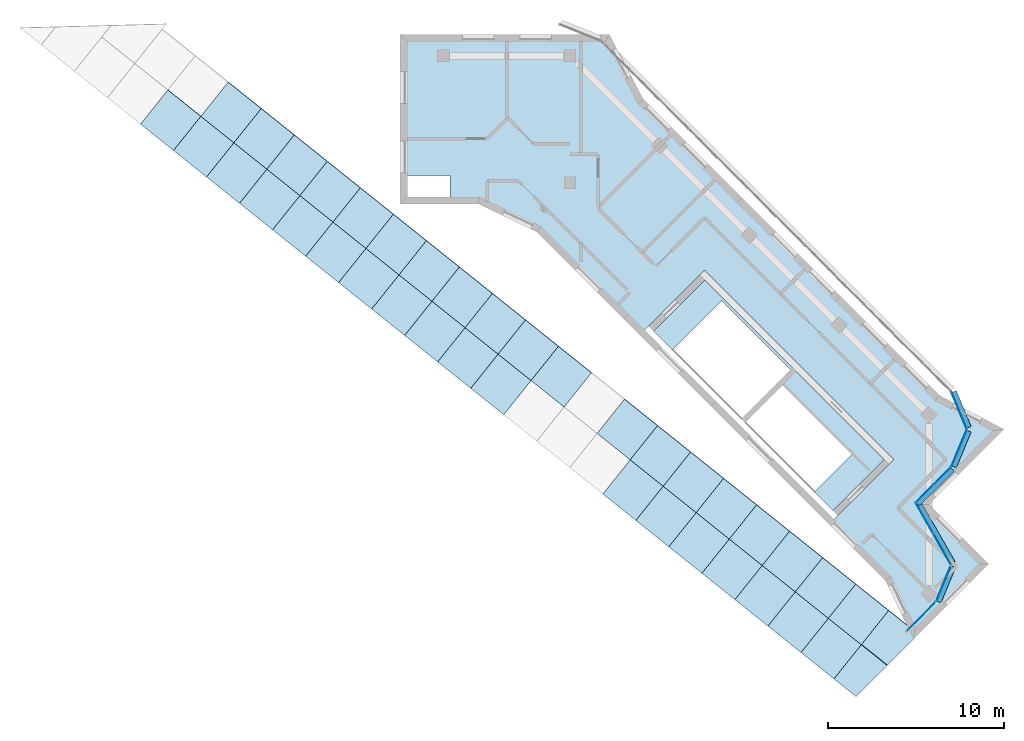
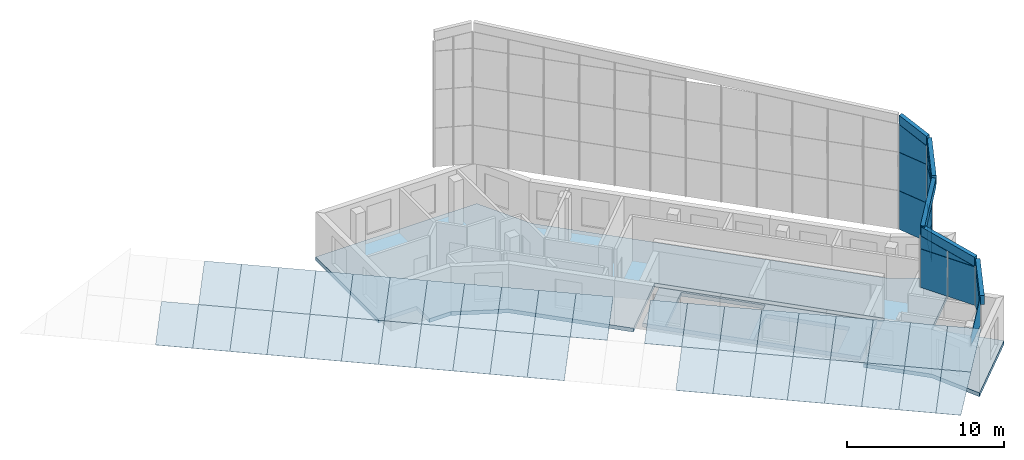
# One storey, part 6 of 9: 60 plates, 2 slabs, 2 openings, 6 elements without a shape of their own.
"""IFC4 building model written with IfcOpenShell, lengths in metres."""

from ifc_helpers import new_model, si_unit, direction, frame, origin, place, context, subcontext, project, spatial, polyline, outline, extrude, material, layer, layer_set, type_object, element, aggregate, save


model = new_model("IFC4")

# Units and contexts
model_context = context("Model", 3, precision=1e-05, world=origin(), true_north=direction((0.0, 1.0)))
body_context = subcontext(model_context, "Body", "Model", "MODEL_VIEW")
ifc_project = project(units=[si_unit("LENGTHUNIT", "METRE"), si_unit("AREAUNIT", "SQUARE_METRE"), si_unit("VOLUMEUNIT", "CUBIC_METRE"), si_unit("PLANEANGLEUNIT", "RADIAN"), si_unit("MASSUNIT", "GRAM", prefix="KILO")], contexts=[model_context])

# Site, building, storey
site_placement = place(None, origin())
site = spatial("IfcSite", under=ifc_project, at=site_placement, CompositionType="ELEMENT")
building_placement = place(site_placement, origin())
building = spatial("IfcBuilding", under=site, at=building_placement, Name="Windrow Commons", CompositionType="ELEMENT")
storey_placement = place(building_placement, frame((0.0, 0.0, 309.6)))
storey = spatial("IfcBuildingStorey", under=building, at=storey_placement, Name="L84", CompositionType="ELEMENT", Elevation=309.6)

# Slab, openings
ifc_material_1 = material(Name="Concrete C40/50", Category="concrete")
ifc_layer_1 = layer(ifc_material_1, 0.3)
ifc_layer_set_1 = layer_set([ifc_layer_1], Name="CORE FLOOR SLAB 300 C40/50")
slab_type_1 = type_object("IfcSlabType", Name="CORE FLOOR SLAB 300 C40/50", PredefinedType="FLOOR", material=ifc_layer_set_1)
placement_1 = place(storey_placement, frame((0.0, 0.0, -0.3)))
slab_1 = element("IfcSlab", 1, at=placement_1, inside=storey, type_object=slab_type_1, Name="S-L84-core-B", PredefinedType="FLOOR", context=body_context, shape_type="SweptSolid", body=[
    extrude(outline(polyline([(86.8368, 59.2721), (97.0191, 49.0897), (94.12, 46.1906), (83.9376, 56.3729), (86.8368, 59.2721)]), holes=[polyline([(88.9581, 51.4232), (91.7158, 54.1809), (87.7913, 58.1054), (85.0336, 55.3476), (88.9581, 51.4232)]), polyline([(93.0946, 47.2866), (95.1841, 49.3761), (91.2597, 53.3006), (89.1702, 51.2111), (93.0946, 47.2866)])]), origin(), (0.0, 0.0, 1.0), 0.3),
])
opening_1_placement = place(placement_1, origin())
element("IfcOpeningElement", 2, at=opening_1_placement, cuts=slab_1, Name="Slab opening S-L84-core-B 1", PredefinedType="OPENING", context=body_context, shape_type="SweptSolid", body=[
    extrude(outline(polyline([(88.9581, 51.4303), (85.0407, 55.3476), (87.7913, 58.0983), (91.7087, 54.1809), (88.9581, 51.4303)])), origin(), (0.0, 0.0, 1.0), 0.3),
])
opening_2_placement = place(placement_1, origin())
element("IfcOpeningElement", 3, at=opening_2_placement, cuts=slab_1, Name="Slab opening S-L84-core-B 2", PredefinedType="OPENING", context=body_context, shape_type="SweptSolid", body=[
    extrude(outline(polyline([(93.0946, 47.2937), (89.1773, 51.2111), (91.2597, 53.2935), (95.177, 49.3761), (93.0946, 47.2937)])), origin(), (0.0, 0.0, 1.0), 0.3),
])

# Plates
ifc_material_2 = material(Name="Precast concrete C40/50", Category="concrete")
ifc_layer_2 = layer(ifc_material_2, 0.3)
ifc_layer_set_2 = layer_set([ifc_layer_2], Name="Crown eave fascia 300")
plate_type_1 = type_object("IfcPlateType", Name="Crown eave fascia 300", PredefinedType="SHEET", material=ifc_layer_set_2)
plate_1_placement = place(storey_placement, frame((100.8472, 52.8855, 11.693), z_axis=(-0.9238782476, -0.3826865345, 0.0), x_axis=(0.363912231, -0.8785534999, -0.3093729722)))
element("IfcPlate", 4, at=plate_1_placement, inside=storey, type_object=plate_type_1, Name="Crown eave fascia", PredefinedType="SHEET", context=body_context, shape_type="SweptSolid", body=[
    extrude(outline(polyline([(0.0, 0.0), (2.3121, 0.0), (2.0955, 0.6657), (-0.2166, 0.6657), (0.0, 0.0)])), origin(), (0.0, 0.0, -1.0), 0.3),
])
plate_2_placement = place(storey_placement, frame((101.6886, 50.7618, 10.929), z_axis=(-0.9238715863, 0.3827026156, 0.0), x_axis=(-0.3211861515, -0.7753664262, -0.5437337227)))
element("IfcPlate", 5, at=plate_2_placement, inside=storey, type_object=plate_type_1, Name="Crown eave fascia", PredefinedType="SHEET", context=body_context, shape_type="SweptSolid", body=[
    extrude(outline(polyline([(0.0, 0.0), (2.6197, 0.0), (2.2391, 0.5875), (-0.3806, 0.5875), (0.0, 0.0)])), origin(), (0.0, 0.0, -1.0), 0.3),
])
plate_3_placement = place(storey_placement, frame((100.7927, 48.649, 9.4387), z_axis=(-0.7071067812, 0.7071067812, 0.0), x_axis=(-0.5873370577, -0.5873370577, -0.556839619)))
element("IfcPlate", 6, at=plate_3_placement, inside=storey, type_object=plate_type_1, Name="Crown eave fascia", PredefinedType="SHEET", context=body_context, shape_type="SweptSolid", body=[
    extrude(outline(polyline([(0.0, 0.0), (3.3478, 0.0), (2.958, 0.5814), (-0.3898, 0.5814), (0.0, 0.0)])), origin(), (0.0, 0.0, -1.0), 0.3),
])
plate_4_placement = place(storey_placement, frame((98.8159, 46.604, 7.5286), z_axis=(-0.867707829, -0.4970745654, 0.0), x_axis=(0.4825091641, -0.8422820406, -0.240303705)))
element("IfcPlate", 7, at=plate_4_placement, inside=storey, type_object=plate_type_1, Name="Crown eave fascia", PredefinedType="SHEET", context=body_context, shape_type="SweptSolid", body=[
    extrude(outline(polyline([(0.0, 0.0), (4.1015, 0.0), (3.9333, 0.6795), (-0.1682, 0.6795), (0.0, 0.0)])), origin(), (0.0, 0.0, -1.0), 0.3),
])
plate_5_placement = place(storey_placement, frame((100.8006, 43.0598, 6.4982), z_axis=(-0.9238836732, 0.3826734357, 0.0), x_axis=(-0.3211566414, -0.7753644487, -0.5437539733)))
element("IfcPlate", 8, at=plate_5_placement, inside=storey, type_object=plate_type_1, Name="Crown eave fascia", PredefinedType="SHEET", context=body_context, shape_type="SweptSolid", body=[
    extrude(outline(polyline([(0.0, 0.0), (2.5629, 0.0), (2.1823, 0.5875), (-0.3806, 0.5875), (0.0, 0.0)])), origin(), (0.0, 0.0, -1.0), 0.3),
])
ifc_material_3 = material(Name="Laminated glass in aluminium frame", Category="aluminium")
ifc_layer_3 = layer(ifc_material_3, 0.04)
ifc_layer_set_3 = layer_set([ifc_layer_3], Name="Crown glazing panel 2400x3000")
plate_type_2 = type_object("IfcPlateType", Name="Crown glazing panel 2400x3000", PredefinedType="SHEET", material=ifc_layer_set_3)
plate_6_placement = place(storey_placement, frame((95.4368, 35.6281, 1.3736), z_axis=(-0.3493415639, -0.436644999, 0.8290365592), x_axis=(-0.7808410333, 0.6247297661, 5.9109e-06)))
element("IfcPlate", 9, at=plate_6_placement, inside=storey, type_object=plate_type_2, Name="Crown glazing 180", PredefinedType="SHEET", context=body_context, shape_type="SweptSolid", body=[
    extrude(outline(polyline([(0.0, 0.0), (1.6117, 0.0), (1.6118, -3.0), (-0.2762, -3.0), (0.0, 0.0)])), origin(), (0.0, 0.0, -1.0), 0.04),
])
plate_7_placement = place(storey_placement, frame((94.1783, 36.635, 1.3736), z_axis=(-0.3493165936, -0.4366690422, 0.8290344173), x_axis=(-0.7808850696, 0.6246747219, 0.0)))
element("IfcPlate", 10, at=plate_7_placement, inside=storey, type_object=plate_type_2, Name="Crown glazing 181", PredefinedType="SHEET", context=body_context, shape_type="SweptSolid", body=[
    extrude(outline(polyline([(0.0, 0.0), (2.4, 0.0), (2.3999, -3.0), (-0.0001, -3.0), (0.0, 0.0)])), origin(), (0.0, 0.0, -1.0), 0.04),
])
for number, where, z_axis, x_axis, name in (
    (11, (92.3042, 38.1342, 1.3736), (-0.349330801, -0.4366576763, 0.8290344174), (-0.7808647444, 0.6247001288, 0.0), "Crown glazing 182"),
    (12, (90.4301, 39.6335, 1.3736), (-0.349330801, -0.4366576763, 0.8290344174), (-0.7808647444, 0.6247001288, 0.0), "Crown glazing 183"),
):
    element("IfcPlate", number, at=place(storey_placement, frame(where, z_axis=z_axis, x_axis=x_axis)), inside=storey, type_object=plate_type_2, Name=name, PredefinedType="SHEET", context=body_context, shape_type="SweptSolid", body=[
        extrude(outline(polyline([(0.0, 0.0), (2.4, 0.0), (2.4, -3.0), (0.0, -3.0), (0.0, 0.0)])), origin(), (0.0, 0.0, -1.0), 0.04),
    ])
plate_8_placement = place(storey_placement, frame((88.556, 41.1328, 1.3736), z_axis=(-0.3493165936, -0.4366690422, 0.8290344173), x_axis=(-0.7808850696, 0.6246747219, 0.0)))
element("IfcPlate", 13, at=plate_8_placement, inside=storey, type_object=plate_type_2, Name="Crown glazing 184", PredefinedType="SHEET", context=body_context, shape_type="SweptSolid", body=[
    extrude(outline(polyline([(0.0, 0.0), (2.4, 0.0), (2.3999, -3.0), (-0.0001, -3.0), (0.0, 0.0)])), origin(), (0.0, 0.0, -1.0), 0.04),
])
plate_9_placement = place(storey_placement, frame((86.6819, 42.632, 1.3736), z_axis=(-0.3493394993, -0.436656899, 0.8290311615), x_axis=(-0.780851026, 0.6247172762, 6.0337e-06)))
element("IfcPlate", 14, at=plate_9_placement, inside=storey, type_object=plate_type_2, Name="Crown glazing 185", PredefinedType="SHEET", context=body_context, shape_type="SweptSolid", body=[
    extrude(outline(polyline([(0.0, 0.0), (2.4, 0.0), (2.4001, -3.0), (0.0001, -3.0), (0.0, 0.0)])), origin(), (0.0, 0.0, -1.0), 0.04),
])
plate_10_placement = place(storey_placement, frame((84.8079, 44.1313, 1.3736), z_axis=(-0.3493394993, -0.436656899, 0.8290311615), x_axis=(-0.780862202, 0.6247033067, -6.0335e-06)))
element("IfcPlate", 15, at=plate_10_placement, inside=storey, type_object=plate_type_2, Name="Crown glazing 186", PredefinedType="SHEET", context=body_context, shape_type="SweptSolid", body=[
    extrude(outline(polyline([(0.0, 0.0), (2.4, 0.0), (2.4, -3.0), (0.0001, -3.0), (0.0, 0.0)])), origin(), (0.0, 0.0, -1.0), 0.04),
])
plate_11_placement = place(storey_placement, frame((82.9338, 45.6306, 1.3736), z_axis=(-0.3493165936, -0.4366690422, 0.8290344173), x_axis=(-0.7808850696, 0.6246747219, 0.0)))
element("IfcPlate", 16, at=plate_11_placement, inside=storey, type_object=plate_type_2, Name="Crown glazing 187", PredefinedType="SHEET", context=body_context, shape_type="SweptSolid", body=[
    extrude(outline(polyline([(0.0, 0.0), (2.4, 0.0), (2.3999, -3.0), (-0.0001, -3.0), (0.0, 0.0)])), origin(), (0.0, 0.0, -1.0), 0.04),
])
plate_12_placement = place(storey_placement, frame((75.4374, 51.6276, 1.3736), z_axis=(-0.349330801, -0.4366576763, 0.8290344174), x_axis=(-0.7808647444, 0.6247001288, 0.0)))
element("IfcPlate", 17, at=plate_12_placement, inside=storey, type_object=plate_type_2, Name="Crown glazing 191", PredefinedType="SHEET", context=body_context, shape_type="SweptSolid", body=[
    extrude(outline(polyline([(0.0, 0.0), (2.4, 0.0), (2.4, -3.0), (0.0, -3.0), (0.0, 0.0)])), origin(), (0.0, 0.0, -1.0), 0.04),
])
plate_13_placement = place(storey_placement, frame((73.5633, 53.1269, 1.3736), z_axis=(-0.3493394993, -0.436656899, 0.8290311615), x_axis=(-0.780851026, 0.6247172762, 6.0337e-06)))
element("IfcPlate", 18, at=plate_13_placement, inside=storey, type_object=plate_type_2, Name="Crown glazing 192", PredefinedType="SHEET", context=body_context, shape_type="SweptSolid", body=[
    extrude(outline(polyline([(0.0, 0.0), (2.4, 0.0), (2.4001, -3.0), (0.0001, -3.0), (0.0, 0.0)])), origin(), (0.0, 0.0, -1.0), 0.04),
])
plate_14_placement = place(storey_placement, frame((71.6893, 54.6262, 1.3736), z_axis=(-0.3493286265, -0.4366578706, 0.8290352313), x_axis=(-0.7808793494, 0.6246818722, -1.35754e-05)))
element("IfcPlate", 19, at=plate_14_placement, inside=storey, type_object=plate_type_2, Name="Crown glazing 193", PredefinedType="SHEET", context=body_context, shape_type="SweptSolid", body=[
    extrude(outline(polyline([(0.0, 0.0), (2.4, 0.0), (2.4, -3.0001), (0.0, -3.0), (0.0, 0.0)])), origin(), (0.0, 0.0, -1.0), 0.04),
])
plate_15_placement = place(storey_placement, frame((69.8152, 56.1254, 1.3736), z_axis=(-0.3493199284, -0.4366586479, 0.829038487), x_axis=(-0.7808679222, 0.6246961565, 7.5417e-06)))
element("IfcPlate", 20, at=plate_15_placement, inside=storey, type_object=plate_type_2, Name="Crown glazing 194", PredefinedType="SHEET", context=body_context, shape_type="SweptSolid", body=[
    extrude(outline(polyline([(0.0, 0.0), (2.4, 0.0), (2.4, -3.0), (0.0001, -3.0001), (0.0, 0.0)])), origin(), (0.0, 0.0, -1.0), 0.04),
])
plate_16_placement = place(storey_placement, frame((67.9411, 57.6247, 1.3736), z_axis=(-0.349330801, -0.4366576763, 0.8290344174), x_axis=(-0.7808647444, 0.6247001288, 0.0)))
element("IfcPlate", 21, at=plate_16_placement, inside=storey, type_object=plate_type_2, Name="Crown glazing 195", PredefinedType="SHEET", context=body_context, shape_type="SweptSolid", body=[
    extrude(outline(polyline([(0.0, 0.0), (2.4, 0.0), (2.4, -3.0), (0.0, -3.0), (0.0, 0.0)])), origin(), (0.0, 0.0, -1.0), 0.04),
])
plate_17_placement = place(storey_placement, frame((66.067, 59.124, 1.3736), z_axis=(-0.3493199284, -0.4366586479, 0.829038487), x_axis=(-0.7808818918, 0.6246786943, -7.5419e-06)))
element("IfcPlate", 22, at=plate_17_placement, inside=storey, type_object=plate_type_2, Name="Crown glazing 196", PredefinedType="SHEET", context=body_context, shape_type="SweptSolid", body=[
    extrude(outline(polyline([(0.0, 0.0), (2.4, 0.0), (2.4, -3.0001), (-0.0001, -3.0), (0.0, 0.0)])), origin(), (0.0, 0.0, -1.0), 0.04),
])
plate_18_placement = place(storey_placement, frame((64.1929, 60.6232, 1.3736), z_axis=(-0.3493199284, -0.4366586479, 0.829038487), x_axis=(-0.7808679222, 0.6246961565, 7.5417e-06)))
element("IfcPlate", 23, at=plate_18_placement, inside=storey, type_object=plate_type_2, Name="Crown glazing 197", PredefinedType="SHEET", context=body_context, shape_type="SweptSolid", body=[
    extrude(outline(polyline([(0.0, 0.0), (2.4, 0.0), (2.4, -3.0), (0.0001, -3.0001), (0.0, 0.0)])), origin(), (0.0, 0.0, -1.0), 0.04),
])
plate_19_placement = place(storey_placement, frame((62.3188, 62.1225, 1.3736), z_axis=(-0.349330801, -0.4366576763, 0.8290344174), x_axis=(-0.7808647444, 0.6247001288, 0.0)))
element("IfcPlate", 24, at=plate_19_placement, inside=storey, type_object=plate_type_2, Name="Crown glazing 198", PredefinedType="SHEET", context=body_context, shape_type="SweptSolid", body=[
    extrude(outline(polyline([(0.0, 0.0), (2.4, 0.0), (2.4, -3.0), (0.0, -3.0), (0.0, 0.0)])), origin(), (0.0, 0.0, -1.0), 0.04),
])
plate_20_placement = place(storey_placement, frame((60.4447, 63.6218, 1.3736), z_axis=(-0.349342167, -0.4366485833, 0.8290344173), x_axis=(-0.7808484834, 0.6247204542, 0.0)))
element("IfcPlate", 25, at=plate_20_placement, inside=storey, type_object=plate_type_2, Name="Crown glazing 199", PredefinedType="SHEET", context=body_context, shape_type="SweptSolid", body=[
    extrude(outline(polyline([(0.0, 0.0), (2.4, 0.0), (2.4, -3.0), (0.0001, -3.0), (0.0, 0.0)])), origin(), (0.0, 0.0, -1.0), 0.04),
])
plate_21_placement = place(storey_placement, frame((58.5707, 65.1211, 1.3736), z_axis=(-0.3493165936, -0.4366690422, 0.8290344173), x_axis=(-0.7808850696, 0.6246747219, 0.0)))
element("IfcPlate", 26, at=plate_21_placement, inside=storey, type_object=plate_type_2, Name="Crown glazing 200", PredefinedType="SHEET", context=body_context, shape_type="SweptSolid", body=[
    extrude(outline(polyline([(0.0, 0.0), (2.4, 0.0), (2.3999, -3.0), (-0.0001, -3.0), (0.0, 0.0)])), origin(), (0.0, 0.0, -1.0), 0.04),
])
plate_22_placement = place(storey_placement, frame((56.6966, 66.6203, 1.3736), z_axis=(-0.349330801, -0.4366576763, 0.8290344174), x_axis=(-0.7808647444, 0.6247001288, 0.0)))
element("IfcPlate", 27, at=plate_22_placement, inside=storey, type_object=plate_type_2, Name="Crown glazing 201", PredefinedType="SHEET", context=body_context, shape_type="SweptSolid", body=[
    extrude(outline(polyline([(0.0, 0.0), (2.4, 0.0), (2.4, -3.0), (0.0, -3.0), (0.0, 0.0)])), origin(), (0.0, 0.0, -1.0), 0.04),
])
plate_23_placement = place(storey_placement, frame((97.2063, 37.3976, 3.0512), z_axis=(-0.3493305905, -0.4366321921, 0.8290479283), x_axis=(-0.7808513797, 0.6247168341, -4.575e-06)))
element("IfcPlate", 28, at=plate_23_placement, inside=storey, type_object=plate_type_2, Name="Crown glazing 205", PredefinedType="SHEET", context=body_context, shape_type="SweptSolid", body=[
    extrude(outline(polyline([(0.0, 0.0), (1.8881, 0.0), (1.8881, -3.0), (-0.2764, -2.9999), (0.0, 0.0)])), origin(), (0.0, 0.0, -1.0), 0.04),
])
plate_24_placement = place(storey_placement, frame((95.732, 38.5771, 3.0512), z_axis=(-0.349302282, -0.4366511518, 0.8290498703), x_axis=(-0.7808850696, 0.6246747219, 0.0)))
element("IfcPlate", 29, at=plate_24_placement, inside=storey, type_object=plate_type_2, Name="Crown glazing 206", PredefinedType="SHEET", context=body_context, shape_type="SweptSolid", body=[
    extrude(outline(polyline([(0.0, 0.0), (2.4, 0.0), (2.3999, -3.0), (-0.0001, -3.0), (0.0, 0.0)])), origin(), (0.0, 0.0, -1.0), 0.04),
])
for number, where, z_axis, x_axis, name in (
    (30, (93.8579, 40.0763, 3.0512), (-0.3493164888, -0.4366397863, 0.8290498704), (-0.7808647444, 0.6247001288, 0.0), "Crown glazing 207"),
    (31, (91.9838, 41.5756, 3.0512), (-0.3493164888, -0.4366397863, 0.8290498704), (-0.7808647444, 0.6247001288, 0.0), "Crown glazing 208"),
):
    element("IfcPlate", number, at=place(storey_placement, frame(where, z_axis=z_axis, x_axis=x_axis)), inside=storey, type_object=plate_type_2, Name=name, PredefinedType="SHEET", context=body_context, shape_type="SweptSolid", body=[
        extrude(outline(polyline([(0.0, 0.0), (2.4, 0.0), (2.4, -3.0), (0.0, -3.0), (0.0, 0.0)])), origin(), (0.0, 0.0, -1.0), 0.04),
    ])
plate_25_placement = place(storey_placement, frame((90.1097, 43.0749, 3.0512), z_axis=(-0.349302282, -0.4366511518, 0.8290498703), x_axis=(-0.7808850696, 0.6246747219, 0.0)))
element("IfcPlate", 32, at=plate_25_placement, inside=storey, type_object=plate_type_2, Name="Crown glazing 209", PredefinedType="SHEET", context=body_context, shape_type="SweptSolid", body=[
    extrude(outline(polyline([(0.0, 0.0), (2.4, 0.0), (2.3999, -3.0), (-0.0001, -3.0), (0.0, 0.0)])), origin(), (0.0, 0.0, -1.0), 0.04),
])
plate_26_placement = place(storey_placement, frame((88.2356, 44.5741, 3.0512), z_axis=(-0.3493164888, -0.4366397863, 0.8290498704), x_axis=(-0.7808647444, 0.6247001288, 0.0)))
element("IfcPlate", 33, at=plate_26_placement, inside=storey, type_object=plate_type_2, Name="Crown glazing 210", PredefinedType="SHEET", context=body_context, shape_type="SweptSolid", body=[
    extrude(outline(polyline([(0.0, 0.0), (2.4, 0.0), (2.4, -3.0), (0.0, -3.0), (0.0, 0.0)])), origin(), (0.0, 0.0, -1.0), 0.04),
])
plate_27_placement = place(storey_placement, frame((86.3615, 46.0734, 3.0512), z_axis=(-0.3493251869, -0.4366390092, 0.8290466148), x_axis=(-0.7808510258, 0.6247172765, 6.0336e-06)))
element("IfcPlate", 34, at=plate_27_placement, inside=storey, type_object=plate_type_2, Name="Crown glazing 211", PredefinedType="SHEET", context=body_context, shape_type="SweptSolid", body=[
    extrude(outline(polyline([(0.0, 0.0), (2.4, 0.0), (2.4001, -2.9999), (0.0001, -3.0), (0.0, 0.0)])), origin(), (0.0, 0.0, -1.0), 0.04),
])
plate_28_placement = place(storey_placement, frame((84.4875, 47.5727, 3.0512), z_axis=(-0.3493143144, -0.4366399806, 0.8290506843), x_axis=(-0.7808793499, 0.6246818716, -1.35751e-05)))
element("IfcPlate", 35, at=plate_28_placement, inside=storey, type_object=plate_type_2, Name="Crown glazing 212", PredefinedType="SHEET", context=body_context, shape_type="SweptSolid", body=[
    extrude(outline(polyline([(0.0, 0.0), (2.4, 0.0), (2.4, -3.0), (0.0, -2.9999), (0.0, 0.0)])), origin(), (0.0, 0.0, -1.0), 0.04),
])
plate_29_placement = place(storey_placement, frame((82.6134, 49.0719, 3.0512), z_axis=(-0.3493056165, -0.4366407577, 0.8290539397), x_axis=(-0.780867922, 0.6246961569, 7.5415e-06)))
element("IfcPlate", 36, at=plate_29_placement, inside=storey, type_object=plate_type_2, Name="Crown glazing 213", PredefinedType="SHEET", context=body_context, shape_type="SweptSolid", body=[
    extrude(outline(polyline([(0.0, 0.0), (2.4, 0.0), (2.4, -3.0), (0.0001, -3.0), (0.0, 0.0)])), origin(), (0.0, 0.0, -1.0), 0.04),
])
plate_30_placement = place(storey_placement, frame((78.8652, 52.0705, 3.0512), z_axis=(-0.3493056165, -0.4366407577, 0.8290539397), x_axis=(-0.780881892, 0.6246786939, -7.5417e-06)))
element("IfcPlate", 37, at=plate_30_placement, inside=storey, type_object=plate_type_2, Name="Crown glazing 215", PredefinedType="SHEET", context=body_context, shape_type="SweptSolid", body=[
    extrude(outline(polyline([(0.0, 0.0), (2.4, 0.0), (2.4, -3.0), (-0.0001, -3.0), (0.0, 0.0)])), origin(), (0.0, 0.0, -1.0), 0.04),
])
plate_31_placement = place(storey_placement, frame((76.9911, 53.5697, 3.0512), z_axis=(-0.3493056165, -0.4366407577, 0.8290539397), x_axis=(-0.780867922, 0.6246961569, 7.5415e-06)))
element("IfcPlate", 38, at=plate_31_placement, inside=storey, type_object=plate_type_2, Name="Crown glazing 216", PredefinedType="SHEET", context=body_context, shape_type="SweptSolid", body=[
    extrude(outline(polyline([(0.0, 0.0), (2.4, 0.0), (2.4, -3.0), (0.0001, -3.0), (0.0, 0.0)])), origin(), (0.0, 0.0, -1.0), 0.04),
])
plate_32_placement = place(storey_placement, frame((75.117, 55.069, 3.0512), z_axis=(-0.3493164888, -0.4366397863, 0.8290498704), x_axis=(-0.7808647444, 0.6247001288, 0.0)))
element("IfcPlate", 39, at=plate_32_placement, inside=storey, type_object=plate_type_2, Name="Crown glazing 217", PredefinedType="SHEET", context=body_context, shape_type="SweptSolid", body=[
    extrude(outline(polyline([(0.0, 0.0), (2.4, 0.0), (2.4, -3.0), (0.0, -3.0), (0.0, 0.0)])), origin(), (0.0, 0.0, -1.0), 0.04),
])
plate_33_placement = place(storey_placement, frame((73.2429, 56.5683, 3.0512), z_axis=(-0.3493251869, -0.4366390092, 0.8290466148), x_axis=(-0.7808510258, 0.6247172765, 6.0336e-06)))
element("IfcPlate", 40, at=plate_33_placement, inside=storey, type_object=plate_type_2, Name="Crown glazing 218", PredefinedType="SHEET", context=body_context, shape_type="SweptSolid", body=[
    extrude(outline(polyline([(0.0, 0.0), (2.4, 0.0), (2.4001, -2.9999), (0.0001, -3.0), (0.0, 0.0)])), origin(), (0.0, 0.0, -1.0), 0.04),
])
plate_34_placement = place(storey_placement, frame((71.3689, 58.0676, 3.0512), z_axis=(-0.3493109798, -0.4366503747, 0.8290466149), x_axis=(-0.7808825275, 0.6246778996, -6.0333e-06)))
element("IfcPlate", 41, at=plate_34_placement, inside=storey, type_object=plate_type_2, Name="Crown glazing 219", PredefinedType="SHEET", context=body_context, shape_type="SweptSolid", body=[
    extrude(outline(polyline([(0.0, 0.0), (2.4, 0.0), (2.3999, -3.0), (0.0, -2.9999), (0.0, 0.0)])), origin(), (0.0, 0.0, -1.0), 0.04),
])
for number, where, z_axis, x_axis, name in (
    (42, (69.4948, 59.5668, 3.0512), (-0.3493164888, -0.4366397863, 0.8290498704), (-0.7808647444, 0.6247001288, 0.0), "Crown glazing 220"),
    (43, (67.6207, 61.0661, 3.0512), (-0.3493164888, -0.4366397863, 0.8290498704), (-0.7808647444, 0.6247001288, 0.0), "Crown glazing 221"),
):
    element("IfcPlate", number, at=place(storey_placement, frame(where, z_axis=z_axis, x_axis=x_axis)), inside=storey, type_object=plate_type_2, Name=name, PredefinedType="SHEET", context=body_context, shape_type="SweptSolid", body=[
        extrude(outline(polyline([(0.0, 0.0), (2.4, 0.0), (2.4, -3.0), (0.0, -3.0), (0.0, 0.0)])), origin(), (0.0, 0.0, -1.0), 0.04),
    ])
plate_35_placement = place(storey_placement, frame((65.7466, 62.5654, 3.0512), z_axis=(-0.349302282, -0.4366511518, 0.8290498703), x_axis=(-0.7808850696, 0.6246747219, 0.0)))
element("IfcPlate", 44, at=plate_35_placement, inside=storey, type_object=plate_type_2, Name="Crown glazing 222", PredefinedType="SHEET", context=body_context, shape_type="SweptSolid", body=[
    extrude(outline(polyline([(0.0, 0.0), (2.4, 0.0), (2.3999, -3.0), (-0.0001, -3.0), (0.0, 0.0)])), origin(), (0.0, 0.0, -1.0), 0.04),
])
plate_36_placement = place(storey_placement, frame((63.8725, 64.0646, 3.0512), z_axis=(-0.3493164888, -0.4366397863, 0.8290498704), x_axis=(-0.7808647444, 0.6247001288, 0.0)))
element("IfcPlate", 45, at=plate_36_placement, inside=storey, type_object=plate_type_2, Name="Crown glazing 223", PredefinedType="SHEET", context=body_context, shape_type="SweptSolid", body=[
    extrude(outline(polyline([(0.0, 0.0), (2.4, 0.0), (2.4, -3.0), (0.0, -3.0), (0.0, 0.0)])), origin(), (0.0, 0.0, -1.0), 0.04),
])
plate_37_placement = place(storey_placement, frame((61.9984, 65.5639, 3.0512), z_axis=(-0.3493251869, -0.4366390092, 0.8290466148), x_axis=(-0.7808510258, 0.6247172765, 6.0336e-06)))
element("IfcPlate", 46, at=plate_37_placement, inside=storey, type_object=plate_type_2, Name="Crown glazing 224", PredefinedType="SHEET", context=body_context, shape_type="SweptSolid", body=[
    extrude(outline(polyline([(0.0, 0.0), (2.4, 0.0), (2.4001, -2.9999), (0.0001, -3.0), (0.0, 0.0)])), origin(), (0.0, 0.0, -1.0), 0.04),
])
plate_38_placement = place(storey_placement, frame((60.1244, 67.0632, 3.0512), z_axis=(-0.3493109798, -0.4366503747, 0.8290466149), x_axis=(-0.7808825275, 0.6246778996, -6.0333e-06)))
element("IfcPlate", 47, at=plate_38_placement, inside=storey, type_object=plate_type_2, Name="Crown glazing 225", PredefinedType="SHEET", context=body_context, shape_type="SweptSolid", body=[
    extrude(outline(polyline([(0.0, 0.0), (2.4, 0.0), (2.3999, -3.0), (0.0, -2.9999), (0.0, 0.0)])), origin(), (0.0, 0.0, -1.0), 0.04),
])

# Curtain wall, plates
ifc_material_4 = material(Name="Laminated glass in anodised aluminium frame", Category="aluminium")
curtain_wall_type = type_object("IfcCurtainWallType", Name="Curtain wall crown terrace screen", PredefinedType="USERDEFINED", material=ifc_material_4)
placement_2 = place(storey_placement, origin())
curtain_wall_1 = element("IfcCurtainWall", 48, at=placement_2, inside=storey, type_object=curtain_wall_type, Name="Glazed crown screen L84", ObjectType="STICK", PredefinedType="USERDEFINED")
ifc_material_5 = material(Name="Laminated glass in aluminium frame", Category="aluminium")
ifc_layer_4 = layer(ifc_material_5, 0.03)
ifc_layer_set_4 = layer_set([ifc_layer_4], Name="Crown screen glazing 2400")
plate_type_3 = type_object("IfcPlateType", Name="Crown screen glazing 2400", PredefinedType="SHEET", material=ifc_layer_set_4)
plate_39_placement = place(storey_placement, frame((100.8395, 52.904, 3.5), z_axis=(-0.9238758194, -0.3826923965, 0.0), x_axis=(0.3826923965, -0.9238758194, 0.0)))
plate_39 = element("IfcPlate", 49, at=plate_39_placement, type_object=plate_type_3, Name="Crown screen glazing L84", PredefinedType="SHEET", context=body_context, shape_type="SweptSolid", body=[
    extrude(outline(polyline([(0.0, 0.0), (2.2386, 0.0), (2.2386, 3.0), (0.0, 3.0), (0.0, 0.0)])), origin(), (0.0, 0.0, -1.0), 0.03),
])
plate_40_placement = place(storey_placement, frame((100.8395, 52.904, 6.52), z_axis=(-0.9238758194, -0.3826923965, 0.0), x_axis=(0.3826923965, -0.9238758194, 0.0)))
plate_40 = element("IfcPlate", 50, at=plate_40_placement, type_object=plate_type_3, Name="Crown screen glazing L84", PredefinedType="SHEET", context=body_context, shape_type="SweptSolid", body=[
    extrude(outline(polyline([(0.0, 0.0), (2.2386, 0.0), (2.2386, 2.98), (0.0, 2.98), (0.0, 0.0)])), origin(), (0.0, 0.0, -1.0), 0.03),
])
plate_41_placement = place(storey_placement, frame((100.8395, 52.904, 9.52), z_axis=(-0.9238758194, -0.3826923965, 0.0), x_axis=(0.3826923965, -0.9238758194, 0.0)))
plate_41 = element("IfcPlate", 51, at=plate_41_placement, type_object=plate_type_3, Name="Crown screen glazing L84", PredefinedType="SHEET", context=body_context, shape_type="SweptSolid", body=[
    extrude(outline(polyline([(0.0, 0.0), (2.2386, 0.0), (2.2386, 1.4214), (0.0, 2.1693), (0.0, 0.0)])), origin(), (0.0, 0.0, -1.0), 0.03),
])
aggregate(curtain_wall_1, [plate_39, plate_40, plate_41])

curtain_wall_2 = element("IfcCurtainWall", 52, at=placement_2, inside=storey, type_object=curtain_wall_type, Name="Glazed crown screen L84", ObjectType="STICK", PredefinedType="USERDEFINED")
plate_42_placement = place(storey_placement, frame((101.6962, 50.7803, 3.5), z_axis=(-0.9238758194, 0.3826923965, 0.0), x_axis=(-0.3826923965, -0.9238758194, 0.0)))
plate_42 = element("IfcPlate", 53, at=plate_42_placement, type_object=plate_type_3, Name="Crown screen glazing L84", PredefinedType="SHEET", context=body_context, shape_type="SweptSolid", body=[
    extrude(outline(polyline([(0.0, 0.0), (2.2386, 0.0), (2.2386, 3.0), (0.0, 3.0), (0.0, 0.0)])), origin(), (0.0, 0.0, -1.0), 0.03),
])
plate_43_placement = place(storey_placement, frame((101.6962, 50.7803, 6.52), z_axis=(-0.9238758194, 0.3826923965, 0.0), x_axis=(-0.3826923965, -0.9238758194, 0.0)))
plate_43 = element("IfcPlate", 54, at=plate_43_placement, type_object=plate_type_3, Name="Crown screen glazing L84", PredefinedType="SHEET", context=body_context, shape_type="SweptSolid", body=[
    extrude(outline(polyline([(0.0, 0.0), (2.2386, 0.0), (2.2386, 2.9322), (0.0, 2.98), (0.0, 0.0)])), origin(), (0.0, 0.0, -1.0), 0.03),
])
plate_44_placement = place(storey_placement, frame((101.6962, 50.7803, 9.52), z_axis=(-0.9238758194, 0.3826923965, 0.0), x_axis=(-0.3826923965, -0.9238758194, 0.0)))
plate_44 = element("IfcPlate", 55, at=plate_44_placement, type_object=plate_type_3, Name="Crown screen glazing L84", PredefinedType="SHEET", context=body_context, shape_type="SweptSolid", body=[
    extrude(outline(polyline([(0.0, 0.0), (2.2386, 0.0), (0.0, 1.4214), (0.0, 0.0)])), origin(), (0.0, 0.0, -1.0), 0.03),
])
aggregate(curtain_wall_2, [plate_42, plate_43, plate_44])

curtain_wall_3 = element("IfcCurtainWall", 56, at=placement_2, inside=storey, type_object=curtain_wall_type, Name="Glazed crown screen L84", ObjectType="STICK", PredefinedType="USERDEFINED")
plate_45_placement = place(storey_placement, frame((100.8068, 48.6632, 3.5), z_axis=(-0.7071430031, 0.7070705574, 0.0), x_axis=(-0.7070705574, -0.7071430031, 0.0)))
plate_45 = element("IfcPlate", 57, at=plate_45_placement, type_object=plate_type_3, Name="Crown screen glazing L84", PredefinedType="SHEET", context=body_context, shape_type="SweptSolid", body=[
    extrude(outline(polyline([(0.0, 0.0), (1.3803, 0.0), (1.3803, 3.0), (0.0, 3.0), (0.0, 0.0)])), origin(), (0.0, 0.0, -1.0), 0.03),
])
plate_46_placement = place(storey_placement, frame((100.8068, 48.6632, 6.52), z_axis=(-0.7071430031, 0.7070705574, 0.0), x_axis=(-0.7070705574, -0.7071430031, 0.0)))
plate_46 = element("IfcPlate", 58, at=plate_46_placement, type_object=plate_type_3, Name="Crown screen glazing L84", PredefinedType="SHEET", context=body_context, shape_type="SweptSolid", body=[
    extrude(outline(polyline([(0.0, 0.0), (1.3803, 0.0), (1.3803, 1.9666), (0.0, 2.9322), (0.0, 0.0)])), origin(), (0.0, 0.0, -1.0), 0.03),
])
plate_47_placement = place(storey_placement, frame((99.7883, 47.6447, 3.5), z_axis=(-0.7071430031, 0.7070705574, 0.0), x_axis=(-0.7070705574, -0.7071430031, 0.0)))
plate_47 = element("IfcPlate", 59, at=plate_47_placement, type_object=plate_type_3, Name="Crown screen glazing L84", PredefinedType="SHEET", context=body_context, shape_type="SweptSolid", body=[
    extrude(outline(polyline([(0.0, 0.0), (1.3803, 0.0), (1.3803, 3.0), (0.0, 3.0), (0.0, 0.0)])), origin(), (0.0, 0.0, -1.0), 0.03),
])
plate_48_placement = place(storey_placement, frame((99.7883, 47.6447, 6.52), z_axis=(-0.7071430031, 0.7070705574, 0.0), x_axis=(-0.7070705574, -0.7071430031, 0.0)))
plate_48 = element("IfcPlate", 60, at=plate_48_placement, type_object=plate_type_3, Name="Crown screen glazing L84", PredefinedType="SHEET", context=body_context, shape_type="SweptSolid", body=[
    extrude(outline(polyline([(0.0, 0.0), (1.3803, 0.0), (1.3803, 1.001), (0.0, 1.9666), (0.0, 0.0)])), origin(), (0.0, 0.0, -1.0), 0.03),
])
aggregate(curtain_wall_3, [plate_45, plate_46, plate_47, plate_48])

curtain_wall_4 = element("IfcCurtainWall", 61, at=placement_2, inside=storey, type_object=curtain_wall_type, Name="Glazed crown screen L84", ObjectType="STICK", PredefinedType="USERDEFINED")
plate_49_placement = place(storey_placement, frame((98.806, 46.6213, 3.5), z_axis=(-0.8677113401, -0.4970684361, 0.0), x_axis=(0.4970684361, -0.8677113401, 0.0)))
plate_49 = element("IfcPlate", 62, at=plate_49_placement, type_object=plate_type_3, Name="Crown screen glazing L84", PredefinedType="SHEET", context=body_context, shape_type="SweptSolid", body=[
    extrude(outline(polyline([(0.0, 0.0), (1.9806, 0.0), (1.9806, 3.0), (0.0, 3.0), (0.0, 0.0)])), origin(), (0.0, 0.0, -1.0), 0.03),
])
plate_50_placement = place(storey_placement, frame((98.806, 46.6213, 6.52), z_axis=(-0.8677113401, -0.4970684361, 0.0), x_axis=(0.4970684361, -0.8677113401, 0.0)))
plate_50 = element("IfcPlate", 63, at=plate_50_placement, type_object=plate_type_3, Name="Crown screen glazing L84", PredefinedType="SHEET", context=body_context, shape_type="SweptSolid", body=[
    extrude(outline(polyline([(0.0, 0.0), (1.9806, 0.0), (1.9806, 0.4958), (0.0, 1.001), (0.0, 0.0)])), origin(), (0.0, 0.0, -1.0), 0.03),
])
plate_51_placement = place(storey_placement, frame((99.8203, 44.8507, 3.5), z_axis=(-0.8677020387, -0.4970846729, 0.0), x_axis=(0.4970846729, -0.8677020387, 0.0)))
plate_51 = element("IfcPlate", 64, at=plate_51_placement, type_object=plate_type_3, Name="Crown screen glazing L84", PredefinedType="SHEET", context=body_context, shape_type="SweptSolid", body=[
    extrude(outline(polyline([(0.0, 0.0), (1.9807, 0.0), (1.9807, 3.0), (0.0, 3.0), (0.0, 0.0)])), origin(), (0.0, 0.0, -1.0), 0.03),
])
plate_52_placement = place(storey_placement, frame((99.8203, 44.8507, 6.52), z_axis=(-0.8677020387, -0.4970846729, 0.0), x_axis=(0.4970846729, -0.8677020387, 0.0)))
plate_52 = element("IfcPlate", 65, at=plate_52_placement, type_object=plate_type_3, Name="Crown screen glazing L84", PredefinedType="SHEET", context=body_context, shape_type="SweptSolid", body=[
    extrude(outline(polyline([(0.0, 0.0), (1.9807, 0.0), (0.0, 0.4958), (0.0, 0.0)])), origin(), (0.0, 0.0, -1.0), 0.03),
])
aggregate(curtain_wall_4, [plate_49, plate_50, plate_51, plate_52])

# Curtain wall, plate
curtain_wall_5 = element("IfcCurtainWall", 66, at=placement_2, inside=storey, type_object=curtain_wall_type, Name="Glazed crown screen L84", ObjectType="STICK", PredefinedType="USERDEFINED")
plate_53_placement = place(storey_placement, frame((100.8083, 43.0783, 3.5), z_axis=(-0.9238716404, 0.3827024852, 0.0), x_axis=(-0.3827024852, -0.9238716404, 0.0)))
plate_53 = element("IfcPlate", 67, at=plate_53_placement, type_object=plate_type_3, Name="Crown screen glazing L84", PredefinedType="SHEET", context=body_context, shape_type="SweptSolid", body=[
    extrude(outline(polyline([(0.0, 0.0), (2.191, 0.0), (2.191, 1.5523), (0.0, 3.0), (0.0, 0.0)])), origin(), (0.0, 0.0, -1.0), 0.03),
])
aggregate(curtain_wall_5, [plate_53])

curtain_wall_6 = element("IfcCurtainWall", 68, at=placement_2, inside=storey, type_object=curtain_wall_type, Name="Glazed crown screen L84", ObjectType="STICK", PredefinedType="USERDEFINED")
plate_54_placement = place(storey_placement, frame((99.9371, 41.0052, 3.5), z_axis=(-0.7071282337, 0.707085328, 0.0), x_axis=(-0.707085328, -0.7071282337, 0.0)))
plate_54 = element("IfcPlate", 69, at=plate_54_placement, type_object=plate_type_3, Name="Crown screen glazing L84", PredefinedType="SHEET", context=body_context, shape_type="SweptSolid", body=[
    extrude(outline(polyline([(0.0, 0.0), (2.3307, 0.0), (2.3307, 0.6496), (0.0, 2.2523), (0.0, 0.0)])), origin(), (0.0, 0.0, -1.0), 0.03),
])
aggregate(curtain_wall_6, [plate_54])

# Slab
ifc_material_6 = material(Name="Concrete C40/50", Category="concrete")
ifc_layer_5 = layer(ifc_material_6, 0.3)
ifc_layer_set_5 = layer_set([ifc_layer_5], Name="FLOOR SLAB 300 C40/50")
slab_type_2 = type_object("IfcSlabType", Name="FLOOR SLAB 300 C40/50", PredefinedType="FLOOR", material=ifc_layer_set_5)
element("IfcSlab", 70, at=placement_1, inside=storey, type_object=slab_type_2, Name="S-L84-floor", PredefinedType="FLOOR", context=body_context, shape_type="SweptSolid", body=[
    extrude(outline(polyline([(98.695, 38.8862), (102.9588, 43.15), (99.5647, 46.5442), (103.8285, 50.808), (100.1598, 52.7373), (94.5618, 58.3353), (88.9638, 63.9333), (83.3658, 69.5313), (81.4366, 73.2), (69.567, 73.2), (69.567, 65.2), (72.4, 65.2), (72.4, 63.6), (73.9811, 63.6), (77.3222, 61.9984), (82.265, 57.0556), (83.1598, 56.1608), (86.8368, 59.8378), (97.5848, 49.0897), (93.9078, 45.4128), (97.0933, 42.2273), (98.695, 38.8862)])), origin(), (0.0, 0.0, 1.0), 0.3),
])

save(model, "model.ifc")
